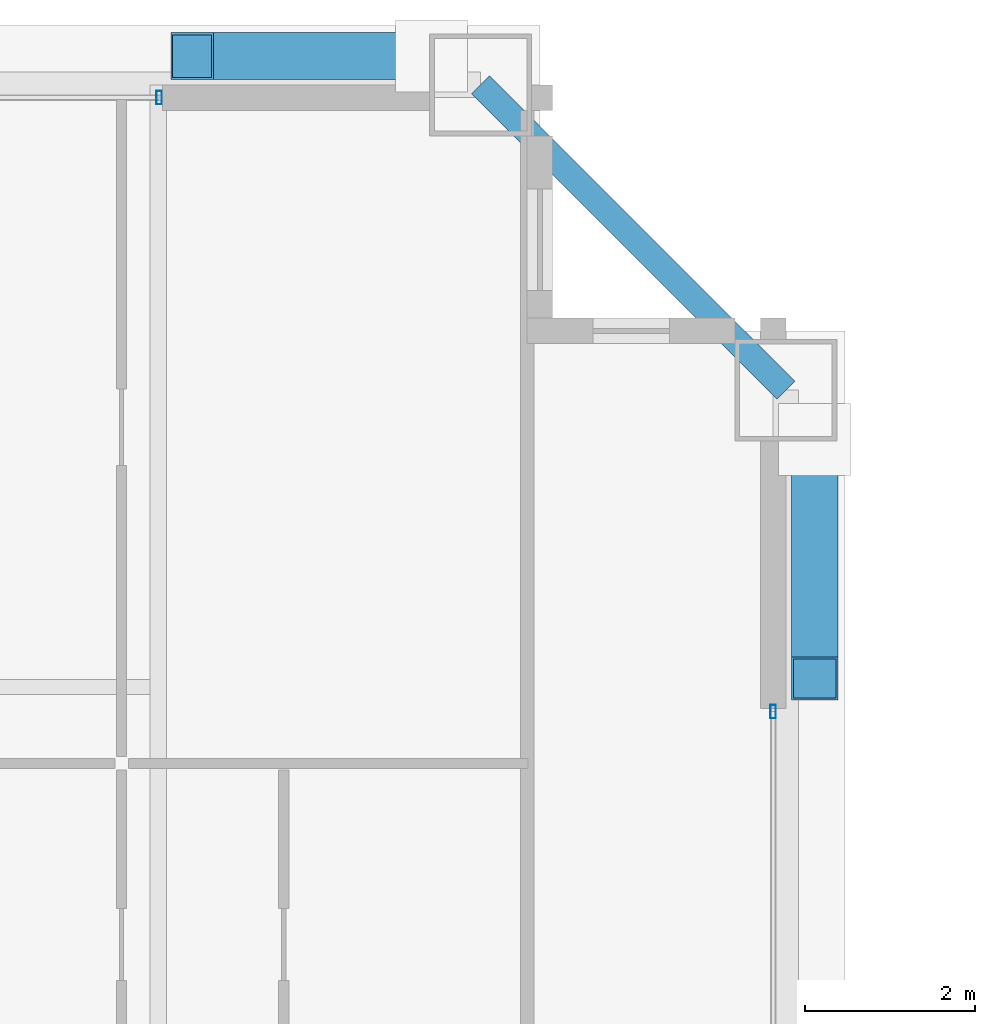
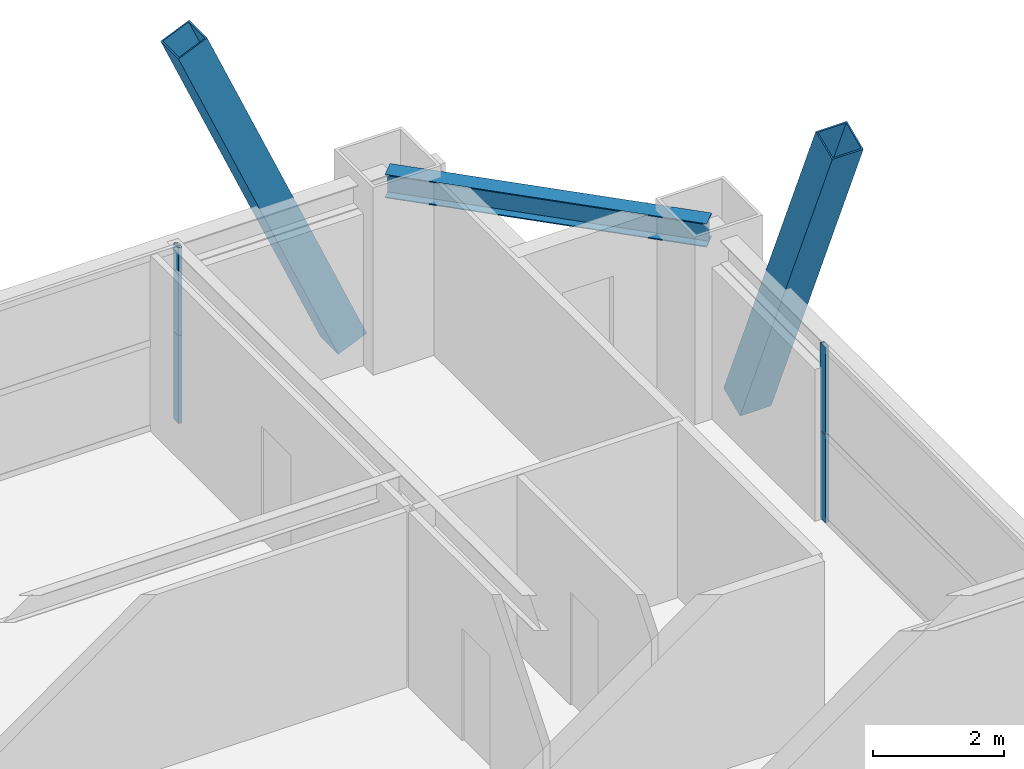
# One storey, part 30 of 37: 6 members, 1 beam, 2 elements without a shape of their own.
"""IFC4 building model written with IfcOpenShell, lengths in metres."""

import ifcopenshell
import ifcopenshell.guid

model = None  # the IFC model being written
_history = None  # IfcOwnerHistory: only IFC2X3 demands one
_inside = {}  # id of a spatial element -> (the spatial element, [elements in it])
_under = {}  # id of a project, library or spatial element -> (it, [spatial elements below it])
_declared = {}  # id of a project -> (the project, [libraries it declares])
_typed = {}  # id of a type object -> (the type object, [elements of that type])
_made_of = {}  # id of a material, layer set ... -> (it, [elements and type objects made of it])


def new_model(schema):
    """Start an empty IFC model of exactly this schema.

    Asked for "IFC4X3", IfcOpenShell would pick the latest addendum, in which some entities
    have other attributes; the version numbers below select the first issue.
    IFC2X3 requires an IfcOwnerHistory on every rooted entity: one is made here for all.
    """
    global model, _history
    if schema == "IFC4X3":
        model = ifcopenshell.file(schema_version=(4, 3, 0, 0))
    else:
        model = ifcopenshell.file(schema=schema)
    _inside.clear()
    _under.clear()
    _declared.clear()
    _typed.clear()
    _made_of.clear()
    _history = None
    if model.schema == "IFC2X3":
        org = make("IfcOrganization", Name="unknown")
        user = make(
            "IfcPersonAndOrganization",
            ThePerson=make("IfcPerson", FamilyName="unknown"),
            TheOrganization=org,
        )
        app = make(
            "IfcApplication",
            ApplicationDeveloper=org,
            Version="unknown",
            ApplicationFullName="unknown",
            ApplicationIdentifier="unknown",
        )
        _history = make(
            "IfcOwnerHistory",
            OwningUser=user,
            OwningApplication=app,
            ChangeAction="ADDED",
            CreationDate=0,
        )
    return model


def make(cls, **values):
    """One entity of the class cls with the attributes given. An attribute that is None is left unset."""
    return model.create_entity(
        cls, **{name: value for name, value in values.items() if value is not None}
    )


def rooted(cls, **values):
    """An entity with a GlobalId (a new one), such as an element, a storey or a relation."""
    return make(cls, GlobalId=ifcopenshell.guid.new(), OwnerHistory=_history, **values)


def si_unit(unit_type, name, prefix=None):
    """IfcSIUnit, for example si_unit("LENGTHUNIT", "METRE", prefix="MILLI")."""
    return make("IfcSIUnit", UnitType=unit_type, Prefix=prefix, Name=name)


def assignment(units):
    """IfcUnitAssignment: the units of a project."""
    return None if units is None else make("IfcUnitAssignment", Units=units)


def point(xyz):
    """IfcCartesianPoint."""
    return None if xyz is None else make("IfcCartesianPoint", Coordinates=xyz)


def direction(xyz):
    """IfcDirection."""
    return None if xyz is None else make("IfcDirection", DirectionRatios=xyz)


def frame(location, z_axis=None, x_axis=None):
    """IfcAxis2Placement3D, a coordinate frame: its origin and axes. An axis left out is left unset."""
    return make(
        "IfcAxis2Placement3D",
        Location=point(location),
        Axis=direction(z_axis),
        RefDirection=direction(x_axis),
    )


def frame_2d(location, x_axis=None):
    """IfcAxis2Placement2D, a coordinate frame in the plane: its origin and x axis."""
    return make(
        "IfcAxis2Placement2D", Location=point(location), RefDirection=direction(x_axis)
    )


def origin():
    """The frame at (0, 0, 0) with its axes left unset."""
    return frame((0.0, 0.0, 0.0))


def origin_2d():
    """The frame at (0, 0) in the plane with its x axis left unset."""
    return frame_2d((0.0, 0.0))


def place(relative_to, where):
    """IfcLocalPlacement: puts the frame where relative to a parent placement (None: the world)."""
    return make(
        "IfcLocalPlacement", PlacementRelTo=relative_to, RelativePlacement=where
    )


def context(
    kind, dimensions, precision=None, world=None, true_north=None, identifier=None
):
    """IfcGeometricRepresentationContext, for example the 3D "Model" context."""
    return make(
        "IfcGeometricRepresentationContext",
        ContextIdentifier=identifier,
        ContextType=kind,
        CoordinateSpaceDimension=dimensions,
        Precision=precision,
        WorldCoordinateSystem=world,
        TrueNorth=true_north,
    )


def subcontext(parent, identifier, kind, view, scale=None):
    """IfcGeometricRepresentationSubContext, for example "Body" below "Model"."""
    return make(
        "IfcGeometricRepresentationSubContext",
        ContextIdentifier=identifier,
        ContextType=kind,
        ParentContext=parent,
        TargetScale=scale,
        TargetView=view,
    )


def project(units=None, contexts=None):
    """IfcProject with its units and contexts."""
    return rooted(
        "IfcProject",
        Name="project",
        RepresentationContexts=contexts,
        UnitsInContext=assignment(units),
    )


def spatial(cls, under=None, at=None, **own):
    """A site, building, storey or space (cls), placed at a placement, below another one or the project."""
    s = rooted(cls, ObjectPlacement=at, **own)
    if under is not None:
        _under.setdefault(under.id(), (under, []))[1].append(s)
    return s


def profile(cls, at=None, kind="AREA", **sizes):
    """A parametric profile (cls). Its sizes go by their IFC names, for example OverallWidth=200.0."""
    return make(cls, ProfileType=kind, Position=at, **sizes)


def hollow_rectangle(**sizes):
    """IfcRectangleHollowProfileDef."""
    return profile("IfcRectangleHollowProfileDef", **sizes)


def i_section(**sizes):
    """IfcIShapeProfileDef."""
    return profile("IfcIShapeProfileDef", **sizes)


def extrude(swept, where, along, depth):
    """IfcExtrudedAreaSolid: the profile swept, set in the frame where, extruded along a direction by depth."""
    return make(
        "IfcExtrudedAreaSolid",
        SweptArea=swept,
        Position=where,
        ExtrudedDirection=direction(along),
        Depth=depth,
    )


def shape(context_of_items, identifier, shape_type, items):
    """IfcShapeRepresentation: the items that make up one representation, for example the "Body"."""
    return make(
        "IfcShapeRepresentation",
        ContextOfItems=context_of_items,
        RepresentationIdentifier=identifier,
        RepresentationType=shape_type,
        Items=items,
    )


def source(mapping_origin, context_of_items, identifier, shape_type, items):
    """IfcRepresentationMap: a shape defined once, which mapped items show again and again."""
    return make(
        "IfcRepresentationMap",
        MappingOrigin=mapping_origin,
        MappedRepresentation=shape(context_of_items, identifier, shape_type, items),
    )


def transform(
    local_origin,
    x_axis=None,
    y_axis=None,
    z_axis=None,
    scale=None,
    scale2=None,
    scale3=None,
    uniform=True,
):
    """IfcCartesianTransformationOperator3D, or its non-uniform kind. x_axis, y_axis, z_axis: its Axis1, 2, 3."""
    if uniform:
        return make(
            "IfcCartesianTransformationOperator3D",
            Axis1=direction(x_axis),
            Axis2=direction(y_axis),
            LocalOrigin=point(local_origin),
            Scale=scale,
            Axis3=direction(z_axis),
        )
    return make(
        "IfcCartesianTransformationOperator3DnonUniform",
        Axis1=direction(x_axis),
        Axis2=direction(y_axis),
        LocalOrigin=point(local_origin),
        Scale=scale,
        Axis3=direction(z_axis),
        Scale2=scale2,
        Scale3=scale3,
    )


def mapped(mapping_source, mapping_target):
    """IfcMappedItem: shows the shape of a source again, moved by a transform."""
    return make(
        "IfcMappedItem", MappingSource=mapping_source, MappingTarget=mapping_target
    )


def material(Name=None, Category=None):
    """IfcMaterial."""
    return make("IfcMaterial", Name=Name, Category=Category)


def layer(
    of_material, thickness, ventilated=None, Name=None, Category=None, Priority=None
):
    """IfcMaterialLayer: one layer of a wall or slab, of a material (None: an air gap)."""
    return make(
        "IfcMaterialLayer",
        Material=of_material,
        LayerThickness=thickness,
        IsVentilated=ventilated,
        Name=Name,
        Category=Category,
        Priority=Priority,
    )


def layer_set(layers, Name=None):
    """IfcMaterialLayerSet."""
    return make("IfcMaterialLayerSet", MaterialLayers=layers, LayerSetName=Name)


def material_profile(
    of_material, cross_section, Name=None, Category=None, Priority=None
):
    """IfcMaterialProfile: a cross section and its material."""
    return make(
        "IfcMaterialProfile",
        Name=Name,
        Material=of_material,
        Profile=cross_section,
        Priority=Priority,
        Category=Category,
    )


def profile_set(profiles, Name=None, composite=None):
    """IfcMaterialProfileSet."""
    return make(
        "IfcMaterialProfileSet",
        Name=Name,
        MaterialProfiles=profiles,
        CompositeProfile=composite,
    )


def made_of(thing, what):
    """Note that an element or type object is made of a material, layer set ...; save() writes the relation."""
    if what is not None:
        _made_of.setdefault(what.id(), (what, []))[1].append(thing)
    return thing


def type_object(cls, material=None, **own):
    """A type object (cls), such as IfcWallType, which elements share."""
    return made_of(rooted(cls, **own), material)


def element(
    cls,
    number,
    at=None,
    inside=None,
    cuts=None,
    type_object=None,
    material=None,
    context=None,
    identifier="Body",
    shape_type=None,
    held_by="IfcProductDefinitionShape",
    body=None,
    shapes=None,
    **own,
):
    """One element of the class cls, such as IfcWall. Its Tag is "e" and its number.

    at: its placement. inside: the storey or other place that contains it. cuts: it is an
    opening in that element (IfcRelVoidsElement). A single representation is given by context,
    identifier, shape_type and body (its items); several are given by shapes. held_by: the class
    of the entity that holds the representations. save() writes the other relations.
    """
    e = rooted(cls, Tag="e%d" % number, ObjectPlacement=at, **own)
    if body is not None:
        shapes = [shape(context, identifier, shape_type, body)]
    if shapes is not None:
        e.Representation = make(held_by, Representations=shapes)
    if inside is not None:
        _inside.setdefault(inside.id(), (inside, []))[1].append(e)
    if cuts is not None:
        rooted(
            "IfcRelVoidsElement", RelatingBuildingElement=cuts, RelatedOpeningElement=e
        )
    if type_object is not None:
        _typed.setdefault(type_object.id(), (type_object, []))[1].append(e)
    return made_of(e, material)


def aggregate(whole, parts):
    """IfcRelAggregates: a whole, such as a stair, and the parts it consists of."""
    return rooted("IfcRelAggregates", RelatingObject=whole, RelatedObjects=parts)


def save(model, path):
    """Write the relations noted so far, then the file.

    IfcRelAggregates (storeys below a building ...), IfcRelContainedInSpatialStructure (elements
    in a storey), IfcRelDefinesByType, IfcRelAssociatesMaterial and IfcRelDeclares: one each for
    every whole, place, type object, material and project.
    """
    for whole, parts in _under.values():
        aggregate(whole, parts)
    for where, things in _inside.values():
        rooted(
            "IfcRelContainedInSpatialStructure",
            RelatedElements=things,
            RelatingStructure=where,
        )
    for kind, things in _typed.values():
        rooted("IfcRelDefinesByType", RelatedObjects=things, RelatingType=kind)
    for what, things in _made_of.values():
        rooted("IfcRelAssociatesMaterial", RelatedObjects=things, RelatingMaterial=what)
    for by, libraries in _declared.values():
        rooted("IfcRelDeclares", RelatingContext=by, RelatedDefinitions=libraries)
    model.write(path)


model = new_model("IFC4")

# Units and contexts
model_context = context("Model", 3, precision=1e-05, world=origin(), true_north=direction((0.0, 1.0)))
body_context = subcontext(model_context, "Body", "Model", "MODEL_VIEW")
ifc_project = project(units=[si_unit("LENGTHUNIT", "METRE"), si_unit("AREAUNIT", "SQUARE_METRE"), si_unit("VOLUMEUNIT", "CUBIC_METRE"), si_unit("PLANEANGLEUNIT", "RADIAN"), si_unit("MASSUNIT", "GRAM", prefix="KILO"), si_unit("THERMODYNAMICTEMPERATUREUNIT", "KELVIN"), si_unit("POWERUNIT", "WATT")], contexts=[model_context])

# Site, building, storey
site_placement = place(None, origin())
site = spatial("IfcSite", under=ifc_project, at=site_placement, CompositionType="ELEMENT")
building_placement = place(site_placement, origin())
building = spatial("IfcBuilding", under=site, at=building_placement, Name="Yuzanri Waterfront Tower", CompositionType="ELEMENT")
storey_placement = place(building_placement, frame((0.0, 0.0, 278.60009765625)))
storey = spatial("IfcBuildingStorey", under=building, at=storey_placement, Name="L74", CompositionType="ELEMENT", Elevation=278.60009765625)

# Beam
ifc_material_1 = material(Name="Steel Q355B", Category="steel")
ifc_material_profile_1 = material_profile(ifc_material_1, i_section(OverallWidth=0.300048828125, OverallDepth=0.43994140625, WebThickness=0.010986328125, FlangeThickness=0.01806640625, at=origin_2d()), Name="HM 440x300x11x18")
ifc_profile_set_1 = profile_set([ifc_material_profile_1], Name="Steel Q355B")
beam_type = type_object("IfcBeamType", Name="Perimeter Spandrel Q355B HM 440x300", PredefinedType="SPANDREL", material=ifc_profile_set_1)
shared_shape_1 = source(origin(), body_context, "Body", "SweptSolid", [
    extrude(i_section(OverallWidth=0.300048828125, OverallDepth=0.43994140625, WebThickness=0.010986328125, FlangeThickness=0.01806640625, at=origin_2d()), origin(), (0.0, 0.0, 1.0), 5.091064453125),
])
beam_placement = place(storey_placement, frame((57.60009765625, 42.800048828125, 3.059814453125), z_axis=(-0.707130757816, 0.707082803744, 0.0), x_axis=(-0.707082803744, -0.707130757816, 0.0)))
element("IfcBeam", 1, at=beam_placement, inside=storey, type_object=beam_type, Name="L74 Perimeter Spandrel E3-N3", PredefinedType="SPANDREL", context=body_context, shape_type="MappedRepresentation", body=[
    mapped(shared_shape_1, transform((0.0, 0.0, 0.0), scale=1.0)),
])

# Members
ifc_material_2 = material(Name="Steel Q390GJC", Category="steel")
ifc_material_profile_2 = material_profile(ifc_material_2, hollow_rectangle(XDim=0.550048828125, YDim=0.550048828125, WallThickness=0.02490234375, at=origin_2d()), Name="RHS 550x550x25")
ifc_profile_set_2 = profile_set([ifc_material_profile_2], Name="Steel Q390GJC")
member_type_1 = type_object("IfcMemberType", Name="Mega Brace Mid Q390GJC RHS 550x550x25", PredefinedType="BRACE", material=ifc_profile_set_2)
shared_shape_2 = source(origin(), body_context, "Body", "SweptSolid", [
    extrude(hollow_rectangle(XDim=0.550048828125, YDim=0.550048828125, WallThickness=0.02490234375, at=origin_2d()), origin(), (0.0, 0.0, 1.0), 7.085205078125),
])
member_1_placement = place(storey_placement, frame((53.419921875, 46.739990234375, 0.179931640625), z_axis=(-0.397982599681, 0.0, 0.917392963975), x_axis=(0.0, -1.0, 0.0)))
element("IfcMember", 2, at=member_1_placement, inside=storey, type_object=member_type_1, Name="L74-L75 Perimeter Mega-Brace N-R", PredefinedType="BRACE", context=body_context, shape_type="MappedRepresentation", body=[
    mapped(shared_shape_2, transform((0.0, 0.0, 0.0), scale=1.0)),
])
shared_shape_3 = source(origin(), body_context, "Body", "SweptSolid", [
    extrude(hollow_rectangle(XDim=0.550048828125, YDim=0.550048828125, WallThickness=0.02490234375, at=origin_2d()), origin(), (0.0, 0.0, 1.0), 7.08544921875),
])
member_2_placement = place(storey_placement, frame((57.93994140625, 42.219970703125, 0.179931640625), z_axis=(0.0, -0.398011598745, 0.917380383082), x_axis=(1.0, 0.0, 0.0)))
element("IfcMember", 3, at=member_2_placement, inside=storey, type_object=member_type_1, Name="L74-L75 Perimeter Mega-Brace E-R", PredefinedType="BRACE", context=body_context, shape_type="MappedRepresentation", body=[
    mapped(shared_shape_3, transform((0.0, 0.0, 0.0), scale=1.0)),
])

# Curtain wall, members
ifc_material_3 = material(Name="Anodized Architectural Bronze", Category="metal")
ifc_layer = layer(ifc_material_3, 0.159912109375)
ifc_layer_set = layer_set([ifc_layer], Name="Anodized Architectural Bronze")
curtain_wall_type = type_object("IfcCurtainWallType", Name="Anodized Bronze Mid-Rise Residential Acoustic Unitized Curtain Wall 7200", PredefinedType="NOTDEFINED", material=ifc_layer_set)
curtain_wall_1_placement = place(storey_placement, origin())
curtain_wall_1 = element("IfcCurtainWall", 4, at=curtain_wall_1_placement, inside=storey, type_object=curtain_wall_type, Name="L74 Curtain Wall CW-L74-NR", PredefinedType="NOTDEFINED")
ifc_material_4 = material(Name="Anodized Architectural Bronze", Category="metal")
ifc_material_profile_3 = material_profile(ifc_material_4, hollow_rectangle(XDim=0.06494140625, YDim=0.159912109375, WallThickness=0.00341796875, at=origin_2d()), Name="CWM 65x160")
ifc_profile_set_3 = profile_set([ifc_material_profile_3], Name="Anodized Architectural Bronze")
member_type_2 = type_object("IfcMemberType", Name="Anodized Bronze Upper-Zone Curtain-Wall Mullion 65x160", PredefinedType="MULLION", material=ifc_profile_set_3)
shared_shape_4 = source(origin(), body_context, "Body", "SweptSolid", [
    extrude(hollow_rectangle(XDim=0.06494140625, YDim=0.159912109375, WallThickness=0.00341796875, at=origin_2d()), origin(), (0.0, 0.0, 1.0), 1.637939453125),
])
member_3_placement = place(storey_placement, frame((50.2099609375, 46.25, 0.0), z_axis=(0.0, 0.0, 1.0), x_axis=(1.0, 0.0, 0.0)))
member_3 = element("IfcMember", 5, at=member_3_placement, type_object=member_type_2, Name="CW-L74-NR Lower Mullion 02", PredefinedType="MULLION", context=body_context, shape_type="MappedRepresentation", body=[
    mapped(shared_shape_4, transform((0.0, 0.0, 0.0), scale=1.0)),
])
member_4_placement = place(storey_placement, frame((50.2099609375, 46.25, 1.641845703125), z_axis=(0.0, 0.0, 1.0), x_axis=(1.0, 0.0, 0.0)))
member_4 = element("IfcMember", 6, at=member_4_placement, type_object=member_type_2, Name="CW-L74-NR Upper Mullion 02", PredefinedType="MULLION", context=body_context, shape_type="MappedRepresentation", body=[
    mapped(shared_shape_4, transform((0.0, 0.0, 0.0), scale=1.0)),
])
aggregate(curtain_wall_1, [member_3, member_4])

curtain_wall_2_placement = place(storey_placement, origin())
curtain_wall_2 = element("IfcCurtainWall", 7, at=curtain_wall_2_placement, inside=storey, type_object=curtain_wall_type, Name="L74 Curtain Wall CW-L74-ER", PredefinedType="NOTDEFINED")
member_5_placement = place(storey_placement, frame((57.449951171875, 39.010009765625, 0.0), z_axis=(0.0, 0.0, 1.0), x_axis=(1.0, 0.0, 0.0)))
member_5 = element("IfcMember", 8, at=member_5_placement, type_object=member_type_2, Name="CW-L74-ER Lower Mullion 02", PredefinedType="MULLION", context=body_context, shape_type="MappedRepresentation", body=[
    mapped(shared_shape_4, transform((0.0, 0.0, 0.0), scale=1.0)),
])
member_6_placement = place(storey_placement, frame((57.449951171875, 39.010009765625, 1.641845703125), z_axis=(0.0, 0.0, 1.0), x_axis=(1.0, 0.0, 0.0)))
member_6 = element("IfcMember", 9, at=member_6_placement, type_object=member_type_2, Name="CW-L74-ER Upper Mullion 02", PredefinedType="MULLION", context=body_context, shape_type="MappedRepresentation", body=[
    mapped(shared_shape_4, transform((0.0, 0.0, 0.0), scale=1.0)),
])
aggregate(curtain_wall_2, [member_5, member_6])

save(model, "model.ifc")
